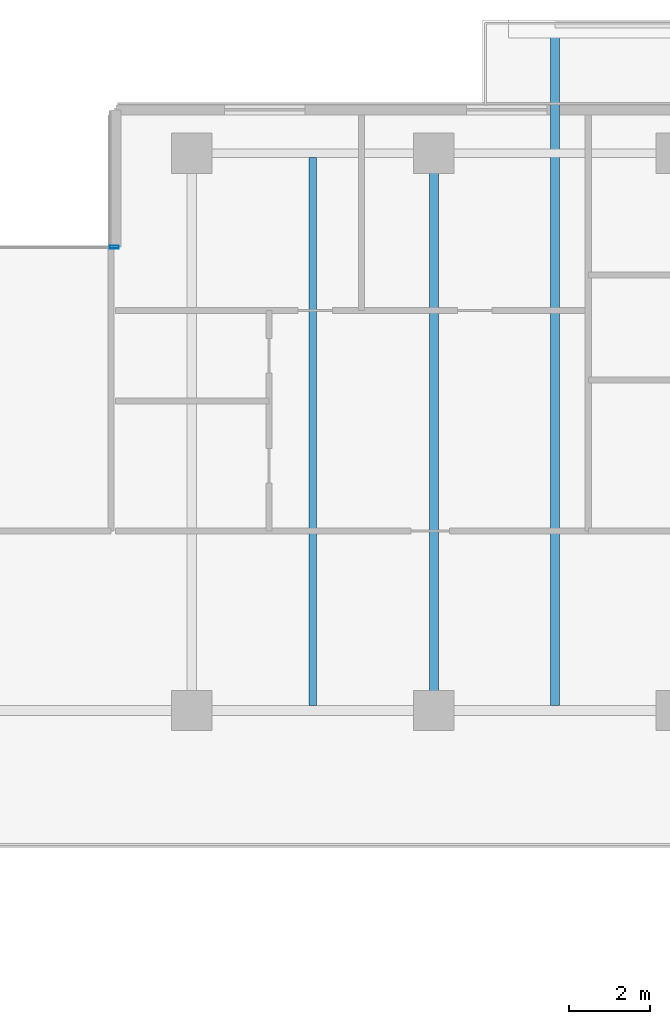
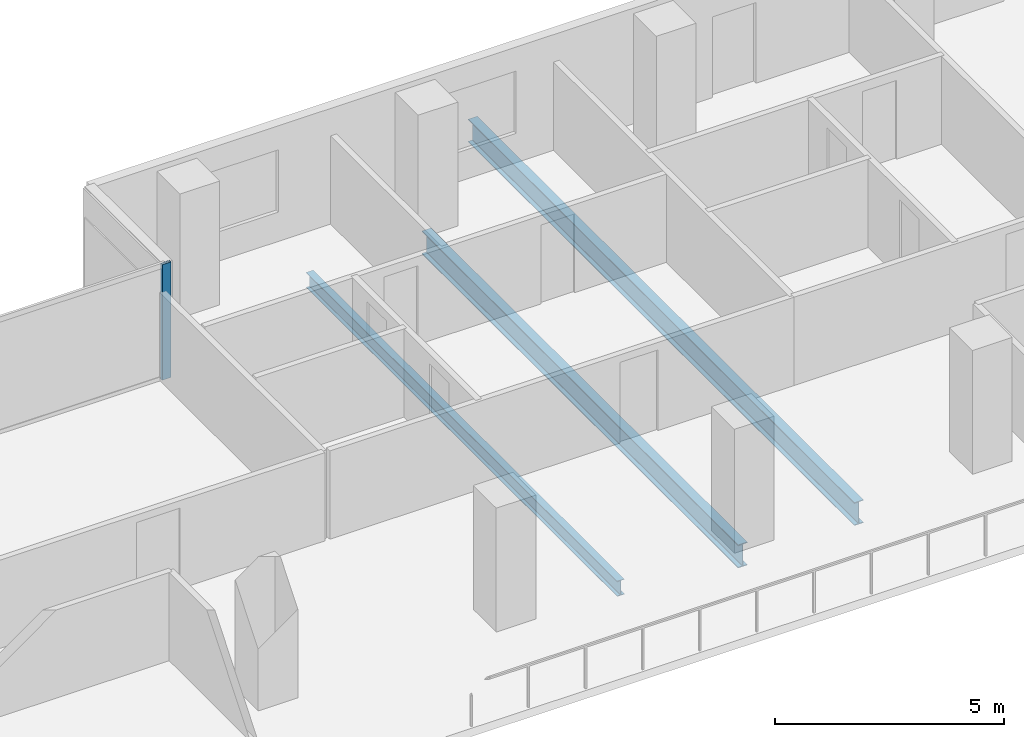
# One storey, part 8 of 23: 3 beams, 1 member, 1 element without a shape of its own.
"""IFC4 building model written with IfcOpenShell, lengths in metres."""

from ifc_helpers import new_model, si_unit, direction, frame, origin, origin_2d, place, context, subcontext, project, spatial, hollow_rectangle, i_section, extrude, material, layer, layer_set, material_profile, profile_set, type_object, element, aggregate, save


model = new_model("IFC4")

# Units and contexts
model_context = context("Model", 3, precision=1e-05, world=origin(), true_north=direction((0.0, 1.0)))
body_context = subcontext(model_context, "Body", "Model", "MODEL_VIEW")
ifc_project = project(units=[si_unit("LENGTHUNIT", "METRE"), si_unit("AREAUNIT", "SQUARE_METRE"), si_unit("VOLUMEUNIT", "CUBIC_METRE"), si_unit("PLANEANGLEUNIT", "RADIAN"), si_unit("MASSUNIT", "GRAM", prefix="KILO")], contexts=[model_context])

# Site, building, storey
site_placement = place(None, origin())
site = spatial("IfcSite", under=ifc_project, at=site_placement, CompositionType="ELEMENT")
building_placement = place(site_placement, origin())
building = spatial("IfcBuilding", under=site, at=building_placement, Name="Tanjung Sevakor Pilgrim Tower", CompositionType="ELEMENT")
storey_placement = place(building_placement, frame((0.0, 0.0, 82.169921875)))
storey = spatial("IfcBuildingStorey", under=building, at=storey_placement, Name="L22", CompositionType="ELEMENT", Elevation=82.169921875)

# Beams
ifc_material_1 = material(Name="Steel S355J2", Category="steel")
ifc_material_profile_1 = material_profile(ifc_material_1, i_section(OverallWidth=0.230224609375, OverallDepth=0.6171875, WebThickness=0.01318359375, FlangeThickness=0.022216796875, FilletRadius=0.0126953125, at=origin_2d()))
ifc_profile_set_1 = profile_set([ifc_material_profile_1], Name="Steel S355J2")
beam_type_1 = type_object("IfcBeamType", Name="BM-B-G3-UB_610x229x140", PredefinedType="BEAM", material=ifc_profile_set_1)
beam_1_placement = place(storey_placement, frame((60.0, 42.60009765625, -0.528564453125), z_axis=(0.0, 1.0, 0.0), x_axis=(-1.0, 0.0, 0.0)))
element("IfcBeam", 1, at=beam_1_placement, inside=storey, type_object=beam_type_1, Name="L22 MAIN Girder 017", PredefinedType="BEAM", context=body_context, shape_type="SweptSolid", body=[
    extrude(i_section(OverallWidth=0.230224609375, OverallDepth=0.6171875, WebThickness=0.01318359375, FlangeThickness=0.022216796875, FilletRadius=0.0126953125, at=origin_2d()), origin(), (0.0, 0.0, 1.0), 13.7998046875),
])
ifc_material_2 = material(Name="Steel S355J2", Category="steel")
ifc_material_profile_2 = material_profile(ifc_material_2, i_section(OverallWidth=0.22900390625, OverallDepth=0.6123046875, WebThickness=0.011962890625, FlangeThickness=0.01953125, FilletRadius=0.0126953125, at=origin_2d()))
ifc_profile_set_2 = profile_set([ifc_material_profile_2], Name="Steel S355J2")
beam_type_2 = type_object("IfcBeamType", Name="BM-B-G4-UB_610x229x125", PredefinedType="BEAM", material=ifc_profile_set_2)
beam_2_placement = place(storey_placement, frame((63.0, 42.727294921875, -0.526123046875), z_axis=(0.0, 1.0, 0.0), x_axis=(-1.0, 0.0, 0.0)))
element("IfcBeam", 2, at=beam_2_placement, inside=storey, type_object=beam_type_2, Name="L22 Balcony Cantilever Beam MAIN-N2-1", PredefinedType="BEAM", context=body_context, shape_type="SweptSolid", body=[
    extrude(i_section(OverallWidth=0.22900390625, OverallDepth=0.6123046875, WebThickness=0.011962890625, FlangeThickness=0.01953125, FilletRadius=0.0126953125, at=origin_2d()), origin(), (0.0, 0.0, 1.0), 16.852783203125),
])
ifc_material_3 = material(Name="Steel S355J2", Category="steel")
ifc_material_profile_3 = material_profile(ifc_material_3, i_section(OverallWidth=0.1787109375, OverallDepth=0.409423828125, WebThickness=0.0087890625, FlangeThickness=0.014404296875, FilletRadius=0.01025390625, at=origin_2d()))
ifc_profile_set_3 = profile_set([ifc_material_profile_3], Name="Steel S355J2")
beam_type_3 = type_object("IfcBeamType", Name="BM-B-J3-UB_406x178x67", PredefinedType="JOIST", material=ifc_profile_set_3)
beam_3_placement = place(storey_placement, frame((57.0, 42.727294921875, -0.424560546875), z_axis=(0.0, 1.0, 0.0), x_axis=(-1.0, 0.0, 0.0)))
element("IfcBeam", 3, at=beam_3_placement, inside=storey, type_object=beam_type_3, Name="L22 MAIN Joist 015", PredefinedType="JOIST", context=body_context, shape_type="SweptSolid", body=[
    extrude(i_section(OverallWidth=0.1787109375, OverallDepth=0.409423828125, WebThickness=0.0087890625, FlangeThickness=0.014404296875, FilletRadius=0.01025390625, at=origin_2d()), origin(), (0.0, 0.0, 1.0), 13.57275390625),
])

# Curtain wall, member
ifc_material_4 = material(Name="Aluminium 6063-T6 and Low-E Glass", Category="aluminium")
ifc_layer = layer(ifc_material_4, 0.179931640625)
ifc_layer_set = layer_set([ifc_layer], Name="CW-SYS-CLEFT")
curtain_wall_type = type_object("IfcCurtainWallType", Name="CW-SYS-CLEFT", PredefinedType="NOTDEFINED", material=ifc_layer_set)
curtain_wall_placement = place(storey_placement, origin())
curtain_wall = element("IfcCurtainWall", 4, at=curtain_wall_placement, inside=storey, type_object=curtain_wall_type, Name="L22 Curtain Wall CW-CLF-L22-10", PredefinedType="NOTDEFINED")
ifc_material_5 = material(Name="Aluminium 6063-T6", Category="aluminium")
ifc_material_profile_4 = material_profile(ifc_material_5, hollow_rectangle(XDim=0.074951171875, YDim=0.219970703125, WallThickness=0.0048828125, at=origin_2d()))
ifc_profile_set_4 = profile_set([ifc_material_profile_4], Name="Aluminium 6063-T6")
member_type = type_object("IfcMemberType", Name="TYPE-CWM-2", PredefinedType="MULLION", material=ifc_profile_set_4)
member_placement = place(storey_placement, frame((52.08740234375, 54.074951171875, 0.0), z_axis=(0.0, 0.0, 1.0), x_axis=(0.0, -1.0, 0.0)))
member = element("IfcMember", 5, at=member_placement, type_object=member_type, Name="CW-CLF mullion 1", PredefinedType="MULLION", context=body_context, shape_type="SweptSolid", body=[
    extrude(hollow_rectangle(XDim=0.074951171875, YDim=0.219970703125, WallThickness=0.0048828125, at=origin_2d()), origin(), (0.0, 0.0, 1.0), 3.080078125),
])
aggregate(curtain_wall, [member])

save(model, "model.ifc")
